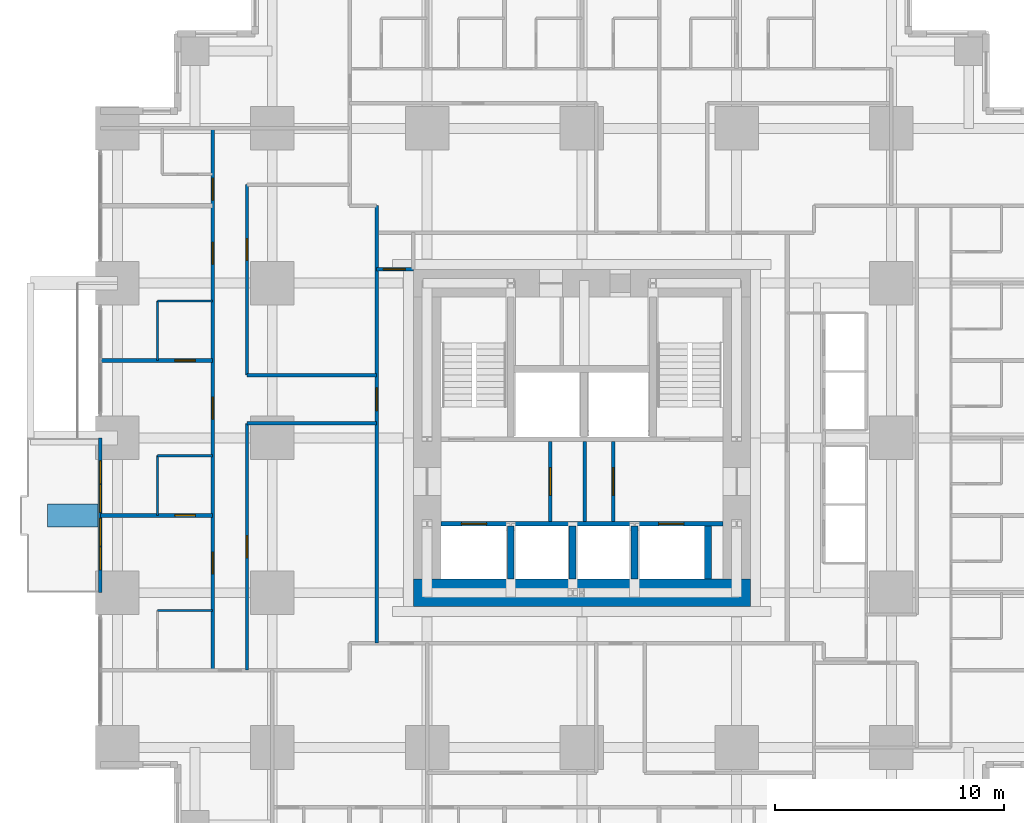
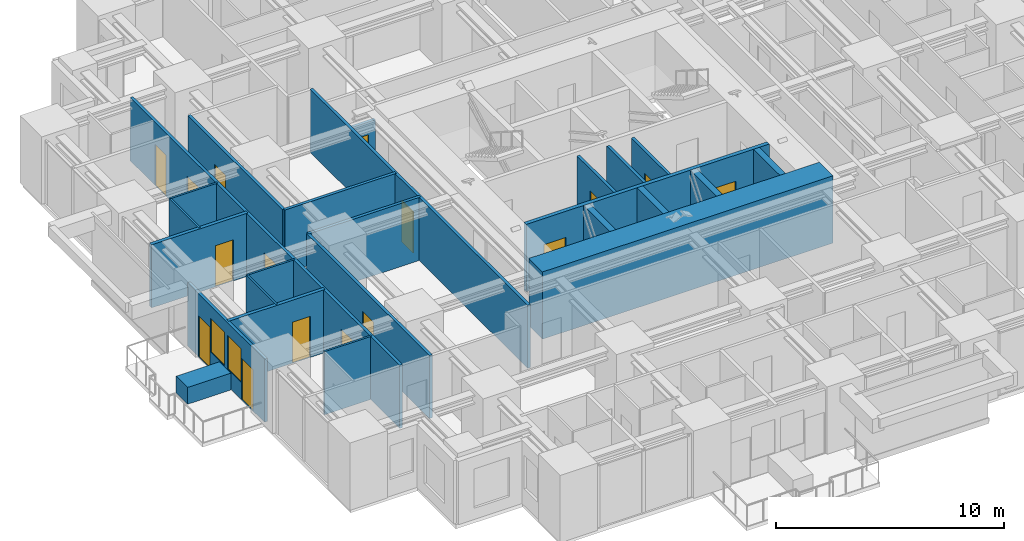
# One storey, part 9 of 15: 25 walls, 16 doors, 2 windows, 18 openings.
"""IFC4 building model written with IfcOpenShell, lengths in metres."""

from ifc_helpers import new_model, si_unit, direction, frame, frame_2d, origin, place, context, subcontext, project, spatial, rectangle, extrude, material, layer, layer_set, type_object, element, fill, save


model = new_model("IFC4")

# Units and contexts
model_context = context("Model", 3, precision=1e-05, world=origin(), true_north=direction((0.0, 1.0)))
body_context = subcontext(model_context, "Body", "Model", "MODEL_VIEW")
ifc_project = project(units=[si_unit("LENGTHUNIT", "METRE"), si_unit("AREAUNIT", "SQUARE_METRE"), si_unit("VOLUMEUNIT", "CUBIC_METRE"), si_unit("PLANEANGLEUNIT", "RADIAN"), si_unit("MASSUNIT", "GRAM", prefix="KILO")], contexts=[model_context])

# Site, building, storey
site_placement = place(None, origin())
site = spatial("IfcSite", under=ifc_project, at=site_placement, CompositionType="ELEMENT")
building_placement = place(site_placement, origin())
building = spatial("IfcBuilding", under=site, at=building_placement, Name="Nyansa Garden Tower", CompositionType="ELEMENT")
storey_placement = place(building_placement, frame((0.0, 0.0, 25.199951171875)))
storey = spatial("IfcBuildingStorey", under=building, at=storey_placement, Name="L06", CompositionType="ELEMENT", Elevation=25.199951171875)

# Wall, opening, door
ifc_material_1 = material(Name="Dense blockwork, plastered both sides, 55 dB", Category="masonry")
ifc_layer_1 = layer(ifc_material_1, 0.175048828125)
ifc_layer_set_1 = layer_set([ifc_layer_1], Name="Acoustic party wall PW175")
wall_type_1 = type_object("IfcWallType", Name="Acoustic party wall PW175", PredefinedType="PARTITIONING", material=ifc_layer_set_1)
wall_1_placement = place(storey_placement, frame((-0.73388671875, 16.875, 0.0), z_axis=(0.0, 0.0, 1.0), x_axis=(1.0, 0.0, 0.0)))
wall_1 = element("IfcWall", 1, at=wall_1_placement, inside=storey, type_object=wall_type_1, Name="Party wall", PredefinedType="PARTITIONING", context=body_context, shape_type="SweptSolid", body=[
    extrude(rectangle(XDim=4.8837890625, YDim=0.175048828125, at=frame_2d((2.44189453125, 0.0))), origin(), (0.0, 0.0, 1.0), 3.375),
])
opening_1_placement = place(wall_1_placement, frame((3.23388671875, 0.0, 0.0)))
opening_1 = element("IfcOpeningElement", 2, at=opening_1_placement, cuts=wall_1, Name="Opening D02", PredefinedType="OPENING", context=body_context, shape_type="SweptSolid", body=[
    extrude(rectangle(XDim=0.89990234375, YDim=2.199951171875, at=frame_2d((0.449951171875, 1.10009765625))), frame((0.0, 0.097412109375, 0.0), z_axis=(0.0, -1.0, 0.0), x_axis=(1.0, 0.0, 0.0)), (0.0, 0.0, 1.0), 0.195068359375),
])
ifc_material_2 = material(Name="Timber flush door", Category="wood")
door_type_1 = type_object("IfcDoorType", Name="En-suite door D02 900x2200", OperationType="SINGLE_SWING_RIGHT", PredefinedType="DOOR", material=ifc_material_2)
door_1_placement = place(opening_1_placement, origin())
door_1 = element("IfcDoor", 3, at=door_1_placement, inside=storey, type_object=door_type_1, Name="Door L06-070", OperationType="SINGLE_SWING_RIGHT", OverallHeight=2.199951171875, OverallWidth=0.89990234375, PredefinedType="DOOR", context=body_context, shape_type="SweptSolid", body=[
    extrude(rectangle(XDim=0.89990234375, YDim=2.199951171875, at=frame_2d((0.449951171875, 1.10009765625))), frame((0.0, 0.02490234375, 0.0), z_axis=(0.0, -1.0, 0.0), x_axis=(1.0, 0.0, 0.0)), (0.0, 0.0, 1.0), 0.050048828125),
])
fill(opening_1, door_1)

wall_2_placement = place(storey_placement, frame((-0.73388671875, 23.625, 0.0), z_axis=(0.0, 0.0, 1.0), x_axis=(1.0, 0.0, 0.0)))
wall_2 = element("IfcWall", 4, at=wall_2_placement, inside=storey, type_object=wall_type_1, Name="Party wall", PredefinedType="PARTITIONING", context=body_context, shape_type="SweptSolid", body=[
    extrude(rectangle(XDim=4.8837890625, YDim=0.175048828125, at=frame_2d((2.44189453125, 0.0))), origin(), (0.0, 0.0, 1.0), 3.375),
])
opening_2_placement = place(wall_2_placement, frame((3.23388671875, 0.0, 0.0)))
opening_2 = element("IfcOpeningElement", 5, at=opening_2_placement, cuts=wall_2, Name="Opening D02", PredefinedType="OPENING", context=body_context, shape_type="SweptSolid", body=[
    extrude(rectangle(XDim=0.89990234375, YDim=2.199951171875, at=frame_2d((0.449951171875, 1.10009765625))), frame((0.0, 0.097412109375, 0.0), z_axis=(0.0, -1.0, 0.0), x_axis=(1.0, 0.0, 0.0)), (0.0, 0.0, 1.0), 0.195068359375),
])
door_2_placement = place(opening_2_placement, origin())
door_2 = element("IfcDoor", 6, at=door_2_placement, inside=storey, type_object=door_type_1, Name="Door L06-072", OperationType="SINGLE_SWING_RIGHT", OverallHeight=2.199951171875, OverallWidth=0.89990234375, PredefinedType="DOOR", context=body_context, shape_type="SweptSolid", body=[
    extrude(rectangle(XDim=0.89990234375, YDim=2.199951171875, at=frame_2d((0.449951171875, 1.10009765625))), frame((0.0, 0.02490234375, 0.0), z_axis=(0.0, -1.0, 0.0), x_axis=(1.0, 0.0, 0.0)), (0.0, 0.0, 1.0), 0.050048828125),
])
fill(opening_2, door_2)

# Wall, openings, doors, windows
ifc_material_3 = material(Name="Black aluminium framed glazed screen", Category="aluminium")
ifc_layer_2 = layer(ifc_material_3, 0.14990234375)
ifc_layer_set_2 = layer_set([ifc_layer_2], Name="Balcony screen wall BW150")
wall_type_2 = type_object("IfcWallType", Name="Balcony screen wall BW150", PredefinedType="SOLIDWALL", material=ifc_layer_set_2)
wall_3_placement = place(storey_placement, frame((-0.75, 13.5, 0.0), z_axis=(0.0, 0.0, 1.0), x_axis=(0.0, 1.0, 0.0)))
wall_3 = element("IfcWall", 7, at=wall_3_placement, inside=storey, type_object=wall_type_2, Name="Glazed screen wall L06 W", PredefinedType="SOLIDWALL", context=body_context, shape_type="SweptSolid", body=[
    extrude(rectangle(XDim=6.75, YDim=0.14990234375, at=frame_2d((3.375, 0.0))), origin(), (0.0, 0.0, 1.0), 3.375),
])
opening_3_placement = place(wall_3_placement, frame((0.995849609375, 0.0, 0.0)))
opening_3 = element("IfcOpeningElement", 8, at=opening_3_placement, cuts=wall_3, Name="Opening D20", PredefinedType="OPENING", context=body_context, shape_type="SweptSolid", body=[
    extrude(rectangle(XDim=1.0, YDim=2.199951171875, at=frame_2d((0.5, 1.10009765625))), frame((0.0, 0.0849609375, 0.0), z_axis=(0.0, -1.0, 0.0), x_axis=(1.0, 0.0, 0.0)), (0.0, 0.0, 1.0), 0.169921875),
])
opening_4_placement = place(wall_3_placement, frame((2.041748046875, 0.0, 0.89990234375)))
opening_4 = element("IfcOpeningElement", 9, at=opening_4_placement, cuts=wall_3, Name="Opening W6", PredefinedType="OPENING", context=body_context, shape_type="SweptSolid", body=[
    extrude(rectangle(XDim=1.199951171875, YDim=1.800048828125, at=frame_2d((0.60009765625, 0.89990234375))), frame((0.0, 0.0849609375, 0.0), z_axis=(0.0, -1.0, 0.0), x_axis=(1.0, 0.0, 0.0)), (0.0, 0.0, 1.0), 0.169921875),
])
opening_5_placement = place(wall_3_placement, frame((4.754150390625, 0.0, 0.0)))
opening_5 = element("IfcOpeningElement", 10, at=opening_5_placement, cuts=wall_3, Name="Opening D20", PredefinedType="OPENING", context=body_context, shape_type="SweptSolid", body=[
    extrude(rectangle(XDim=1.0, YDim=2.199951171875, at=frame_2d((0.5, 1.10009765625))), frame((0.0, 0.0849609375, 0.0), z_axis=(0.0, -1.0, 0.0), x_axis=(1.0, 0.0, 0.0)), (0.0, 0.0, 1.0), 0.169921875),
])
opening_6_placement = place(wall_3_placement, frame((3.50830078125, 0.0, 0.89990234375)))
opening_6 = element("IfcOpeningElement", 11, at=opening_6_placement, cuts=wall_3, Name="Opening W6", PredefinedType="OPENING", context=body_context, shape_type="SweptSolid", body=[
    extrude(rectangle(XDim=1.199951171875, YDim=1.800048828125, at=frame_2d((0.60009765625, 0.89990234375))), frame((0.0, 0.0849609375, 0.0), z_axis=(0.0, -1.0, 0.0), x_axis=(1.0, 0.0, 0.0)), (0.0, 0.0, 1.0), 0.169921875),
])
ifc_material_4 = material(Name="Black aluminium framed glazed door", Category="aluminium")
door_type_2 = type_object("IfcDoorType", Name="Balcony door D20 1000x2200", OperationType="NOTDEFINED", PredefinedType="DOOR", material=ifc_material_4)
door_3_placement = place(opening_3_placement, origin())
door_3 = element("IfcDoor", 12, at=door_3_placement, inside=storey, type_object=door_type_2, Name="Balcony door L06", OperationType="SINGLE_SWING_LEFT", OverallHeight=2.199951171875, OverallWidth=1.0, PredefinedType="DOOR", context=body_context, shape_type="SweptSolid", body=[
    extrude(rectangle(XDim=1.0, YDim=2.199951171875, at=frame_2d((0.5, 1.10009765625))), frame((0.0, 0.02490234375, 0.0), z_axis=(0.0, -1.0, 0.0), x_axis=(1.0, 0.0, 0.0)), (0.0, 0.0, 1.0), 0.050048828125),
])
fill(opening_3, door_3)
door_4_placement = place(opening_5_placement, origin())
door_4 = element("IfcDoor", 13, at=door_4_placement, inside=storey, type_object=door_type_2, Name="Balcony door L06", OperationType="SINGLE_SWING_RIGHT", OverallHeight=2.199951171875, OverallWidth=1.0, PredefinedType="DOOR", context=body_context, shape_type="SweptSolid", body=[
    extrude(rectangle(XDim=1.0, YDim=2.199951171875, at=frame_2d((0.5, 1.10009765625))), frame((0.0, 0.02490234375, 0.0), z_axis=(0.0, -1.0, 0.0), x_axis=(1.0, 0.0, 0.0)), (0.0, 0.0, 1.0), 0.050048828125),
])
fill(opening_5, door_4)
ifc_material_5 = material(Name="Black aluminium frame, dark tinted double glazing", Category="aluminium")
window_type = type_object("IfcWindowType", Name="Balcony window W6 1200x1800", PartitioningType="SINGLE_PANEL", PredefinedType="WINDOW", material=ifc_material_5)
window_1_placement = place(opening_4_placement, origin())
window_1 = element("IfcWindow", 14, at=window_1_placement, inside=storey, type_object=window_type, Name="Window L06", OverallHeight=1.800048828125, OverallWidth=1.199951171875, PartitioningType="SINGLE_PANEL", PredefinedType="WINDOW", context=body_context, shape_type="SweptSolid", body=[
    extrude(rectangle(XDim=1.199951171875, YDim=1.800048828125, at=frame_2d((0.60009765625, 0.89990234375))), frame((0.0, 0.030029296875, 0.0), z_axis=(0.0, -1.0, 0.0), x_axis=(1.0, 0.0, 0.0)), (0.0, 0.0, 1.0), 0.06005859375),
])
fill(opening_4, window_1)
window_2_placement = place(opening_6_placement, origin())
window_2 = element("IfcWindow", 15, at=window_2_placement, inside=storey, type_object=window_type, Name="Window L06", OverallHeight=1.800048828125, OverallWidth=1.199951171875, PartitioningType="SINGLE_PANEL", PredefinedType="WINDOW", context=body_context, shape_type="SweptSolid", body=[
    extrude(rectangle(XDim=1.199951171875, YDim=1.800048828125, at=frame_2d((0.60009765625, 0.89990234375))), frame((0.0, 0.030029296875, 0.0), z_axis=(0.0, -1.0, 0.0), x_axis=(1.0, 0.0, 0.0)), (0.0, 0.0, 1.0), 0.06005859375),
])
fill(opening_6, window_2)

# Wall, openings, doors
ifc_material_6 = material(Name="Concrete C70/85", Category="concrete")
ifc_layer_3 = layer(ifc_material_6, 0.199951171875)
ifc_layer_set_3 = layer_set([ifc_layer_3], Name="Core inner wall CI200")
wall_type_3 = type_object("IfcWallType", Name="Core inner wall CI200", PredefinedType="SHEAR", material=ifc_layer_set_3)
wall_4_placement = place(storey_placement, frame((14.10009765625, 16.5, 0.0), z_axis=(0.0, 0.0, 1.0), x_axis=(1.0, 0.0, 0.0)))
wall_4 = element("IfcWall", 16, at=wall_4_placement, inside=storey, type_object=wall_type_3, Name="Core inner wall L06", PredefinedType="SHEAR", context=body_context, shape_type="SweptSolid", body=[
    extrude(rectangle(XDim=12.2998046875, YDim=0.199951171875, at=frame_2d((6.14990234375, 0.0))), origin(), (0.0, 0.0, 1.0), 3.60009765625),
])
opening_7_placement = place(wall_4_placement, frame((0.89990234375, 0.0, 0.0)))
opening_7 = element("IfcOpeningElement", 17, at=opening_7_placement, cuts=wall_4, Name="Opening LD-F", PredefinedType="OPENING", context=body_context, shape_type="SweptSolid", body=[
    extrude(rectangle(XDim=1.10009765625, YDim=2.199951171875, at=frame_2d((0.550048828125, 1.10009765625))), frame((0.0, 0.10986328125, 0.0), z_axis=(0.0, -1.0, 0.0), x_axis=(1.0, 0.0, 0.0)), (0.0, 0.0, 1.0), 0.219970703125),
])
opening_8_placement = place(wall_4_placement, frame((9.5, 0.0, 0.0)))
opening_8 = element("IfcOpeningElement", 18, at=opening_8_placement, cuts=wall_4, Name="Opening LD-F", PredefinedType="OPENING", context=body_context, shape_type="SweptSolid", body=[
    extrude(rectangle(XDim=1.10009765625, YDim=2.199951171875, at=frame_2d((0.550048828125, 1.10009765625))), frame((0.0, 0.10986328125, 0.0), z_axis=(0.0, -1.0, 0.0), x_axis=(1.0, 0.0, 0.0)), (0.0, 0.0, 1.0), 0.219970703125),
])
ifc_material_7 = material(Name="Stainless steel centre-opening landing door of the firefighting lift, EN 81-72, E 120", Category="steel")
door_type_3 = type_object("IfcDoorType", Name="Lift landing door LD-F 1100x2200", OperationType="DOUBLE_DOOR_SLIDING", PredefinedType="DOOR", material=ifc_material_7)
door_5_placement = place(opening_7_placement, origin())
door_5 = element("IfcDoor", 19, at=door_5_placement, inside=storey, type_object=door_type_3, Name="Landing door FF1", OperationType="DOUBLE_DOOR_SLIDING", OverallHeight=2.199951171875, OverallWidth=1.10009765625, PredefinedType="DOOR", context=body_context, shape_type="SweptSolid", body=[
    extrude(rectangle(XDim=1.10009765625, YDim=2.199951171875, at=frame_2d((0.550048828125, 1.10009765625))), frame((0.0, 0.02490234375, 0.0), z_axis=(0.0, -1.0, 0.0), x_axis=(1.0, 0.0, 0.0)), (0.0, 0.0, 1.0), 0.050048828125),
])
fill(opening_7, door_5)
door_6_placement = place(opening_8_placement, origin())
door_6 = element("IfcDoor", 20, at=door_6_placement, inside=storey, type_object=door_type_3, Name="Landing door FF2", OperationType="DOUBLE_DOOR_SLIDING", OverallHeight=2.199951171875, OverallWidth=1.10009765625, PredefinedType="DOOR", context=body_context, shape_type="SweptSolid", body=[
    extrude(rectangle(XDim=1.10009765625, YDim=2.199951171875, at=frame_2d((0.550048828125, 1.10009765625))), frame((0.0, 0.02490234375, 0.0), z_axis=(0.0, -1.0, 0.0), x_axis=(1.0, 0.0, 0.0)), (0.0, 0.0, 1.0), 0.050048828125),
])
fill(opening_8, door_6)

# Walls
ifc_material_8 = material(Name="Concrete C70/85", Category="concrete")
ifc_layer_4 = layer(ifc_material_8, 0.300048828125)
ifc_layer_set_4 = layer_set([ifc_layer_4], Name="Core inner wall CI300")
wall_type_4 = type_object("IfcWallType", Name="Core inner wall CI300", PredefinedType="SHEAR", material=ifc_layer_set_4)
for number, where, z_axis, x_axis, name in (
    (21, (17.14990234375, 14.10009765625, 0.0), (0.0, 0.0, 1.0), (0.0, 1.0, 0.0), "Core inner wall L06"),
    (22, (19.85009765625, 14.10009765625, 0.0), (0.0, 0.0, 1.0), (0.0, 1.0, 0.0), "Core inner wall L06"),
    (23, (22.550048828125, 14.10009765625, 0.0), (0.0, 0.0, 1.0), (0.0, 1.0, 0.0), "Core inner wall L06"),
    (24, (25.75, 14.10009765625, 0.0), (0.0, 0.0, 1.0), (0.0, 1.0, 0.0), "Core inner wall L06"),
):
    element("IfcWall", number, at=place(storey_placement, frame(where, z_axis=z_axis, x_axis=x_axis)), inside=storey, type_object=wall_type_4, Name=name, PredefinedType="SHEAR", context=body_context, shape_type="SweptSolid", body=[
        extrude(rectangle(XDim=2.2998046875, YDim=0.300048828125, at=frame_2d((1.14990234375, 0.0))), origin(), (0.0, 0.0, 1.0), 3.60009765625),
    ])
ifc_material_9 = material(Name="Concrete C80/95", Category="concrete")
ifc_layer_5 = layer(ifc_material_9, 1.199951171875)
ifc_layer_set_5 = layer_set([ifc_layer_5], Name="Core wall CW1200")
wall_type_5 = type_object("IfcWallType", Name="Core wall CW1200", PredefinedType="SHEAR", material=ifc_layer_set_5)
wall_5_placement = place(storey_placement, frame((12.89990234375, 13.5, 0.0), z_axis=(0.0, 0.0, 1.0), x_axis=(1.0, 0.0, 0.0)))
element("IfcWall", 25, at=wall_5_placement, inside=storey, type_object=wall_type_5, Name="Core wall S L06", PredefinedType="SHEAR", context=body_context, shape_type="SweptSolid", body=[
    extrude(rectangle(XDim=14.7001953125, YDim=1.199951171875, at=frame_2d((7.35009765625, 0.0))), origin(), (0.0, 0.0, 1.0), 3.60009765625),
])

# Wall, opening, door
ifc_material_10 = material(Name="Blockwork, plastered both sides", Category="masonry")
ifc_layer_6 = layer(ifc_material_10, 0.14990234375)
ifc_layer_set_6 = layer_set([ifc_layer_6], Name="Partition PW150")
wall_type_6 = type_object("IfcWallType", Name="Partition PW150", PredefinedType="PARTITIONING", material=ifc_layer_set_6)
wall_6_placement = place(storey_placement, frame((18.875, 16.60009765625, 0.0), z_axis=(0.0, 0.0, 1.0), x_axis=(0.0, 1.0, 0.0)))
wall_6 = element("IfcWall", 26, at=wall_6_placement, inside=storey, type_object=wall_type_6, Name="Partition", PredefinedType="PARTITIONING", context=body_context, shape_type="SweptSolid", body=[
    extrude(rectangle(XDim=3.5, YDim=0.14990234375, at=frame_2d((1.75, 0.0))), origin(), (0.0, 0.0, 1.0), 3.375),
])
opening_9_placement = place(wall_6_placement, frame((1.14990234375, 0.0, 0.0)))
opening_9 = element("IfcOpeningElement", 27, at=opening_9_placement, cuts=wall_6, Name="Opening D06", PredefinedType="OPENING", context=body_context, shape_type="SweptSolid", body=[
    extrude(rectangle(XDim=1.199951171875, YDim=2.199951171875, at=frame_2d((0.60009765625, 1.10009765625))), frame((0.0, 0.0849609375, 0.0), z_axis=(0.0, -1.0, 0.0), x_axis=(1.0, 0.0, 0.0)), (0.0, 0.0, 1.0), 0.169921875),
])
ifc_material_11 = material(Name="Steel door, 120 minute fire resisting", Category="steel")
door_type_4 = type_object("IfcDoorType", Name="Lobby door D06 1200x2200", OperationType="DOUBLE_DOOR_SINGLE_SWING", PredefinedType="DOOR", material=ifc_material_11)
door_7_placement = place(opening_9_placement, origin())
door_7 = element("IfcDoor", 28, at=door_7_placement, inside=storey, type_object=door_type_4, Name="Passenger lift lobby door", OperationType="DOUBLE_DOOR_SINGLE_SWING", OverallHeight=2.199951171875, OverallWidth=1.199951171875, PredefinedType="DOOR", context=body_context, shape_type="SweptSolid", body=[
    extrude(rectangle(XDim=1.199951171875, YDim=2.199951171875, at=frame_2d((0.60009765625, 1.10009765625))), frame((0.0, 0.02490234375, 0.0), z_axis=(0.0, -1.0, 0.0), x_axis=(1.0, 0.0, 0.0)), (0.0, 0.0, 1.0), 0.050048828125),
])
fill(opening_9, door_7)

wall_7_placement = place(storey_placement, frame((21.625, 16.60009765625, 0.0), z_axis=(0.0, 0.0, 1.0), x_axis=(0.0, 1.0, 0.0)))
wall_7 = element("IfcWall", 29, at=wall_7_placement, inside=storey, type_object=wall_type_6, Name="Partition", PredefinedType="PARTITIONING", context=body_context, shape_type="SweptSolid", body=[
    extrude(rectangle(XDim=3.5, YDim=0.14990234375, at=frame_2d((1.75, 0.0))), origin(), (0.0, 0.0, 1.0), 3.375),
])
opening_10_placement = place(wall_7_placement, frame((1.14990234375, 0.0, 0.0)))
opening_10 = element("IfcOpeningElement", 30, at=opening_10_placement, cuts=wall_7, Name="Opening D06", PredefinedType="OPENING", context=body_context, shape_type="SweptSolid", body=[
    extrude(rectangle(XDim=1.199951171875, YDim=2.199951171875, at=frame_2d((0.60009765625, 1.10009765625))), frame((0.0, 0.0849609375, 0.0), z_axis=(0.0, -1.0, 0.0), x_axis=(1.0, 0.0, 0.0)), (0.0, 0.0, 1.0), 0.169921875),
])
door_8_placement = place(opening_10_placement, origin())
door_8 = element("IfcDoor", 31, at=door_8_placement, inside=storey, type_object=door_type_4, Name="Passenger lift lobby door", OperationType="DOUBLE_DOOR_SINGLE_SWING", OverallHeight=2.199951171875, OverallWidth=1.199951171875, PredefinedType="DOOR", context=body_context, shape_type="SweptSolid", body=[
    extrude(rectangle(XDim=1.199951171875, YDim=2.199951171875, at=frame_2d((0.60009765625, 1.10009765625))), frame((0.0, 0.02490234375, 0.0), z_axis=(0.0, -1.0, 0.0), x_axis=(1.0, 0.0, 0.0)), (0.0, 0.0, 1.0), 0.050048828125),
])
fill(opening_10, door_8)

# Wall
wall_8_placement = place(storey_placement, frame((20.3798828125, 16.60009765625, 0.0), z_axis=(0.0, 0.0, 1.0), x_axis=(0.0, 1.0, 0.0)))
element("IfcWall", 32, at=wall_8_placement, inside=storey, type_object=wall_type_6, Name="Partition", PredefinedType="PARTITIONING", context=body_context, shape_type="SweptSolid", body=[
    extrude(rectangle(XDim=3.5, YDim=0.14990234375, at=frame_2d((1.75, 0.0))), origin(), (0.0, 0.0, 1.0), 3.375),
])

# Wall, openings, doors
wall_9_placement = place(storey_placement, frame((4.14990234375, 10.125, 0.0), z_axis=(0.0, 0.0, 1.0), x_axis=(0.0, 1.0, 0.0)))
wall_9 = element("IfcWall", 33, at=wall_9_placement, inside=storey, type_object=wall_type_6, Name="Partition", PredefinedType="PARTITIONING", context=body_context, shape_type="SweptSolid", body=[
    extrude(rectangle(XDim=23.625, YDim=0.14990234375, at=frame_2d((11.8125, 0.0))), origin(), (0.0, 0.0, 1.0), 3.375),
])
opening_11_placement = place(wall_9_placement, frame((4.199951171875, 0.0, 0.0)))
opening_11 = element("IfcOpeningElement", 34, at=opening_11_placement, cuts=wall_9, Name="Opening D14", PredefinedType="OPENING", context=body_context, shape_type="SweptSolid", body=[
    extrude(rectangle(XDim=0.949951171875, YDim=2.199951171875, at=frame_2d((0.47509765625, 1.10009765625))), frame((0.0, 0.0849609375, 0.0), z_axis=(0.0, -1.0, 0.0), x_axis=(1.0, 0.0, 0.0)), (0.0, 0.0, 1.0), 0.169921875),
])
opening_12_placement = place(wall_9_placement, frame((10.949951171875, 0.0, 0.0)))
opening_12 = element("IfcOpeningElement", 35, at=opening_12_placement, cuts=wall_9, Name="Opening D14", PredefinedType="OPENING", context=body_context, shape_type="SweptSolid", body=[
    extrude(rectangle(XDim=0.949951171875, YDim=2.199951171875, at=frame_2d((0.47509765625, 1.10009765625))), frame((0.0, 0.0849609375, 0.0), z_axis=(0.0, -1.0, 0.0), x_axis=(1.0, 0.0, 0.0)), (0.0, 0.0, 1.0), 0.169921875),
])
opening_13_placement = place(wall_9_placement, frame((17.699951171875, 0.0, 0.0)))
opening_13 = element("IfcOpeningElement", 36, at=opening_13_placement, cuts=wall_9, Name="Opening D14", PredefinedType="OPENING", context=body_context, shape_type="SweptSolid", body=[
    extrude(rectangle(XDim=0.949951171875, YDim=2.199951171875, at=frame_2d((0.47509765625, 1.10009765625))), frame((0.0, 0.0849609375, 0.0), z_axis=(0.0, -1.0, 0.0), x_axis=(1.0, 0.0, 0.0)), (0.0, 0.0, 1.0), 0.169921875),
])
opening_14_placement = place(wall_9_placement, frame((20.5, 0.0, 0.0)))
opening_14 = element("IfcOpeningElement", 37, at=opening_14_placement, cuts=wall_9, Name="Opening D14", PredefinedType="OPENING", context=body_context, shape_type="SweptSolid", body=[
    extrude(rectangle(XDim=0.949951171875, YDim=2.199951171875, at=frame_2d((0.47509765625, 1.10009765625))), frame((0.0, 0.0849609375, 0.0), z_axis=(0.0, -1.0, 0.0), x_axis=(1.0, 0.0, 0.0)), (0.0, 0.0, 1.0), 0.169921875),
])
ifc_material_12 = material(Name="Timber flush door, 60 minute fire resisting, self-closing", Category="wood")
door_type_5 = type_object("IfcDoorType", Name="Studio entrance door D14 950x2200", OperationType="SINGLE_SWING_LEFT", PredefinedType="DOOR", material=ifc_material_12)
door_9_placement = place(opening_11_placement, origin())
door_9 = element("IfcDoor", 38, at=door_9_placement, inside=storey, type_object=door_type_5, Name="Door L06-067", OperationType="SINGLE_SWING_LEFT", OverallHeight=2.199951171875, OverallWidth=0.949951171875, PredefinedType="DOOR", context=body_context, shape_type="SweptSolid", body=[
    extrude(rectangle(XDim=0.949951171875, YDim=2.199951171875, at=frame_2d((0.47509765625, 1.10009765625))), frame((0.0, 0.02490234375, 0.0), z_axis=(0.0, -1.0, 0.0), x_axis=(1.0, 0.0, 0.0)), (0.0, 0.0, 1.0), 0.050048828125),
])
fill(opening_11, door_9)
door_10_placement = place(opening_12_placement, origin())
door_10 = element("IfcDoor", 39, at=door_10_placement, inside=storey, type_object=door_type_5, Name="Door L06-069", OperationType="SINGLE_SWING_LEFT", OverallHeight=2.199951171875, OverallWidth=0.949951171875, PredefinedType="DOOR", context=body_context, shape_type="SweptSolid", body=[
    extrude(rectangle(XDim=0.949951171875, YDim=2.199951171875, at=frame_2d((0.47509765625, 1.10009765625))), frame((0.0, 0.02490234375, 0.0), z_axis=(0.0, -1.0, 0.0), x_axis=(1.0, 0.0, 0.0)), (0.0, 0.0, 1.0), 0.050048828125),
])
fill(opening_12, door_10)
door_11_placement = place(opening_13_placement, origin())
door_11 = element("IfcDoor", 40, at=door_11_placement, inside=storey, type_object=door_type_5, Name="Door L06-071", OperationType="SINGLE_SWING_LEFT", OverallHeight=2.199951171875, OverallWidth=0.949951171875, PredefinedType="DOOR", context=body_context, shape_type="SweptSolid", body=[
    extrude(rectangle(XDim=0.949951171875, YDim=2.199951171875, at=frame_2d((0.47509765625, 1.10009765625))), frame((0.0, 0.02490234375, 0.0), z_axis=(0.0, -1.0, 0.0), x_axis=(1.0, 0.0, 0.0)), (0.0, 0.0, 1.0), 0.050048828125),
])
fill(opening_13, door_11)
door_12_placement = place(opening_14_placement, origin())
door_12 = element("IfcDoor", 41, at=door_12_placement, inside=storey, type_object=door_type_5, Name="Door L06-073", OperationType="SINGLE_SWING_LEFT", OverallHeight=2.199951171875, OverallWidth=0.949951171875, PredefinedType="DOOR", context=body_context, shape_type="SweptSolid", body=[
    extrude(rectangle(XDim=0.949951171875, YDim=2.199951171875, at=frame_2d((0.47509765625, 1.10009765625))), frame((0.0, 0.02490234375, 0.0), z_axis=(0.0, -1.0, 0.0), x_axis=(1.0, 0.0, 0.0)), (0.0, 0.0, 1.0), 0.050048828125),
])
fill(opening_14, door_12)

# Wall, opening, door
wall_10_placement = place(storey_placement, frame((5.64990234375, 10.125, 0.0), z_axis=(0.0, 0.0, 1.0), x_axis=(0.0, 1.0, 0.0)))
wall_10 = element("IfcWall", 42, at=wall_10_placement, inside=storey, type_object=wall_type_6, Name="Partition", PredefinedType="PARTITIONING", context=body_context, shape_type="SweptSolid", body=[
    extrude(rectangle(XDim=10.762451171875, YDim=0.14990234375, at=frame_2d((5.38134765625, 0.0))), origin(), (0.0, 0.0, 1.0), 3.375),
])
opening_15_placement = place(wall_10_placement, frame((4.89990234375, 0.0, 0.0)))
opening_15 = element("IfcOpeningElement", 43, at=opening_15_placement, cuts=wall_10, Name="Opening D01", PredefinedType="OPENING", context=body_context, shape_type="SweptSolid", body=[
    extrude(rectangle(XDim=0.949951171875, YDim=2.199951171875, at=frame_2d((0.47509765625, 1.10009765625))), frame((0.0, 0.0849609375, 0.0), z_axis=(0.0, -1.0, 0.0), x_axis=(1.0, 0.0, 0.0)), (0.0, 0.0, 1.0), 0.169921875),
])
ifc_material_13 = material(Name="Timber flush door, 30 minute fire resisting", Category="wood")
door_type_6 = type_object("IfcDoorType", Name="Bedroom door D01 950x2200", OperationType="SINGLE_SWING_LEFT", PredefinedType="DOOR", material=ifc_material_13)
door_13_placement = place(opening_15_placement, origin())
door_13 = element("IfcDoor", 44, at=door_13_placement, inside=storey, type_object=door_type_6, Name="Door L06-076", OperationType="SINGLE_SWING_LEFT", OverallHeight=2.199951171875, OverallWidth=0.949951171875, PredefinedType="DOOR", context=body_context, shape_type="SweptSolid", body=[
    extrude(rectangle(XDim=0.949951171875, YDim=2.199951171875, at=frame_2d((0.47509765625, 1.10009765625))), frame((0.0, 0.02490234375, 0.0), z_axis=(0.0, -1.0, 0.0), x_axis=(1.0, 0.0, 0.0)), (0.0, 0.0, 1.0), 0.050048828125),
])
fill(opening_15, door_13)

# Wall
wall_11_placement = place(storey_placement, frame((5.64990234375, 20.886962890625, 0.0), z_axis=(0.0, 0.0, 1.0), x_axis=(1.0, 0.0, 0.0)))
element("IfcWall", 45, at=wall_11_placement, inside=storey, type_object=wall_type_6, Name="Partition", PredefinedType="PARTITIONING", context=body_context, shape_type="SweptSolid", body=[
    extrude(rectangle(XDim=5.650146484375, YDim=0.14990234375, at=frame_2d((2.8251953125, 0.0))), origin(), (0.0, 0.0, 1.0), 3.375),
])

# Wall, opening, door
wall_12_placement = place(storey_placement, frame((5.64990234375, 22.987548828125, 0.0), z_axis=(0.0, 0.0, 1.0), x_axis=(0.0, 1.0, 0.0)))
wall_12 = element("IfcWall", 46, at=wall_12_placement, inside=storey, type_object=wall_type_6, Name="Partition", PredefinedType="PARTITIONING", context=body_context, shape_type="SweptSolid", body=[
    extrude(rectangle(XDim=8.3125, YDim=0.14990234375, at=frame_2d((4.15625, 0.0))), origin(), (0.0, 0.0, 1.0), 3.375),
])
opening_16_placement = place(wall_12_placement, frame((5.0, 0.0, 0.0)))
opening_16 = element("IfcOpeningElement", 47, at=opening_16_placement, cuts=wall_12, Name="Opening D01", PredefinedType="OPENING", context=body_context, shape_type="SweptSolid", body=[
    extrude(rectangle(XDim=0.949951171875, YDim=2.199951171875, at=frame_2d((0.47509765625, 1.10009765625))), frame((0.0, 0.0849609375, 0.0), z_axis=(0.0, -1.0, 0.0), x_axis=(1.0, 0.0, 0.0)), (0.0, 0.0, 1.0), 0.169921875),
])
door_14_placement = place(opening_16_placement, origin())
door_14 = element("IfcDoor", 48, at=door_14_placement, inside=storey, type_object=door_type_6, Name="Door L06-077", OperationType="SINGLE_SWING_LEFT", OverallHeight=2.199951171875, OverallWidth=0.949951171875, PredefinedType="DOOR", context=body_context, shape_type="SweptSolid", body=[
    extrude(rectangle(XDim=0.949951171875, YDim=2.199951171875, at=frame_2d((0.47509765625, 1.10009765625))), frame((0.0, 0.02490234375, 0.0), z_axis=(0.0, -1.0, 0.0), x_axis=(1.0, 0.0, 0.0)), (0.0, 0.0, 1.0), 0.050048828125),
])
fill(opening_16, door_14)

# Wall
wall_13_placement = place(storey_placement, frame((5.64990234375, 22.988037109375, 0.0), z_axis=(0.0, 0.0, 1.0), x_axis=(1.0, 0.0, 0.0)))
element("IfcWall", 49, at=wall_13_placement, inside=storey, type_object=wall_type_6, Name="Partition", PredefinedType="PARTITIONING", context=body_context, shape_type="SweptSolid", body=[
    extrude(rectangle(XDim=5.650146484375, YDim=0.14990234375, at=frame_2d((2.8251953125, 0.0))), origin(), (0.0, 0.0, 1.0), 3.375),
])

# Wall, opening, door
wall_14_placement = place(storey_placement, frame((11.300048828125, 11.300048828125, 0.0), z_axis=(0.0, 0.0, 1.0), x_axis=(0.0, 1.0, 0.0)))
wall_14 = element("IfcWall", 50, at=wall_14_placement, inside=storey, type_object=wall_type_6, Name="Partition", PredefinedType="PARTITIONING", context=body_context, shape_type="SweptSolid", body=[
    extrude(rectangle(XDim=19.074951171875, YDim=0.14990234375, at=frame_2d((9.53759765625, 0.0))), origin(), (0.0, 0.0, 1.0), 3.375),
])
opening_17_placement = place(wall_14_placement, frame((10.137451171875, 0.0, 0.0)))
opening_17 = element("IfcOpeningElement", 51, at=opening_17_placement, cuts=wall_14, Name="Opening D03", PredefinedType="OPENING", context=body_context, shape_type="SweptSolid", body=[
    extrude(rectangle(XDim=1.0, YDim=2.199951171875, at=frame_2d((0.5, 1.10009765625))), frame((0.0, 0.0849609375, 0.0), z_axis=(0.0, -1.0, 0.0), x_axis=(1.0, 0.0, 0.0)), (0.0, 0.0, 1.0), 0.169921875),
])
ifc_material_14 = material(Name="Timber flush door, 60 minute fire resisting", Category="wood")
door_type_7 = type_object("IfcDoorType", Name="Cluster entrance door D03 1000x2200", OperationType="SINGLE_SWING_LEFT", PredefinedType="DOOR", material=ifc_material_14)
door_15_placement = place(opening_17_placement, origin())
door_15 = element("IfcDoor", 52, at=door_15_placement, inside=storey, type_object=door_type_7, Name="Door L06-075", OperationType="SINGLE_SWING_LEFT", OverallHeight=2.199951171875, OverallWidth=1.0, PredefinedType="DOOR", context=body_context, shape_type="SweptSolid", body=[
    extrude(rectangle(XDim=1.0, YDim=2.199951171875, at=frame_2d((0.5, 1.10009765625))), frame((0.0, 0.02490234375, 0.0), z_axis=(0.0, -1.0, 0.0), x_axis=(1.0, 0.0, 0.0)), (0.0, 0.0, 1.0), 0.050048828125),
])
fill(opening_17, door_15)

wall_15_placement = place(storey_placement, frame((11.300048828125, 27.60009765625, 0.0), z_axis=(0.0, 0.0, 1.0), x_axis=(1.0, 0.0, 0.0)))
wall_15 = element("IfcWall", 53, at=wall_15_placement, inside=storey, type_object=wall_type_6, Name="Partition", PredefinedType="PARTITIONING", context=body_context, shape_type="SweptSolid", body=[
    extrude(rectangle(XDim=1.599853515625, YDim=0.14990234375, at=frame_2d((0.7998046875, 0.0))), origin(), (0.0, 0.0, 1.0), 2.876953125),
])
opening_18_placement = place(wall_15_placement, frame((0.300048828125, 0.0, 0.0)))
opening_18 = element("IfcOpeningElement", 54, at=opening_18_placement, cuts=wall_15, Name="Opening D01", PredefinedType="OPENING", context=body_context, shape_type="SweptSolid", body=[
    extrude(rectangle(XDim=0.949951171875, YDim=2.199951171875, at=frame_2d((0.47509765625, 1.10009765625))), frame((0.0, 0.0849609375, 0.0), z_axis=(0.0, -1.0, 0.0), x_axis=(1.0, 0.0, 0.0)), (0.0, 0.0, 1.0), 0.169921875),
])
door_16_placement = place(opening_18_placement, origin())
door_16 = element("IfcDoor", 55, at=door_16_placement, inside=storey, type_object=door_type_6, Name="Door L06-017", OperationType="SINGLE_SWING_LEFT", OverallHeight=2.199951171875, OverallWidth=0.949951171875, PredefinedType="DOOR", context=body_context, shape_type="SweptSolid", body=[
    extrude(rectangle(XDim=0.949951171875, YDim=2.199951171875, at=frame_2d((0.47509765625, 1.10009765625))), frame((0.0, 0.02490234375, 0.0), z_axis=(0.0, -1.0, 0.0), x_axis=(1.0, 0.0, 0.0)), (0.0, 0.0, 1.0), 0.050048828125),
])
fill(opening_18, door_16)

# Walls
ifc_material_15 = material(Name="Concrete C40/50 planter, waterproofed", Category="concrete")
ifc_layer_7 = layer(ifc_material_15, 1.0)
ifc_layer_set_7 = layer_set([ifc_layer_7], Name="Tree planter TP1")
wall_type_7 = type_object("IfcWallType", Name="Tree planter TP1", PredefinedType="USERDEFINED", material=ifc_layer_set_7)
wall_16_placement = place(storey_placement, frame((-0.85009765625, 16.875, 0.0), z_axis=(0.0, 0.0, 1.0), x_axis=(-1.0, 0.0, 0.0)))
element("IfcWall", 56, at=wall_16_placement, inside=storey, type_object=wall_type_7, Name="Tree planter L06", ObjectType="TREE PLANTER", PredefinedType="USERDEFINED", context=body_context, shape_type="SweptSolid", body=[
    extrude(rectangle(XDim=2.199951171875, YDim=1.0, at=frame_2d((1.10009765625, 0.0))), origin(), (0.0, 0.0, 1.0), 0.900146484375),
])
ifc_material_16 = material(Name="Moisture resistant board on steel studs, tiled", Category="steel")
ifc_layer_8 = layer(ifc_material_16, 0.10009765625)
ifc_layer_set_8 = layer_set([ifc_layer_8], Name="Wet wall PW100")
wall_type_8 = type_object("IfcWallType", Name="Wet wall PW100", PredefinedType="PARTITIONING", material=ifc_layer_set_8)
wall_17_placement = place(storey_placement, frame((1.75, 12.72509765625, 0.0), z_axis=(0.0, 0.0, 1.0), x_axis=(1.0, 0.0, 0.0)))
element("IfcWall", 57, at=wall_17_placement, inside=storey, type_object=wall_type_8, Name="Wet wall", PredefinedType="PARTITIONING", context=body_context, shape_type="SweptSolid", body=[
    extrude(rectangle(XDim=2.39990234375, YDim=0.10009765625, at=frame_2d((1.199951171875, 0.0))), origin(), (0.0, 0.0, 1.0), 3.375),
])
wall_18_placement = place(storey_placement, frame((1.75, 16.875, 0.0), z_axis=(0.0, 0.0, 1.0), x_axis=(0.0, 1.0, 0.0)))
element("IfcWall", 58, at=wall_18_placement, inside=storey, type_object=wall_type_8, Name="Wet wall", PredefinedType="PARTITIONING", context=body_context, shape_type="SweptSolid", body=[
    extrude(rectangle(XDim=2.60009765625, YDim=0.10009765625, at=frame_2d((1.300048828125, 0.0))), origin(), (0.0, 0.0, 1.0), 3.375),
])
wall_19_placement = place(storey_placement, frame((1.75, 19.47509765625, 0.0), z_axis=(0.0, 0.0, 1.0), x_axis=(1.0, 0.0, 0.0)))
element("IfcWall", 59, at=wall_19_placement, inside=storey, type_object=wall_type_8, Name="Wet wall", PredefinedType="PARTITIONING", context=body_context, shape_type="SweptSolid", body=[
    extrude(rectangle(XDim=2.39990234375, YDim=0.10009765625, at=frame_2d((1.199951171875, 0.0))), origin(), (0.0, 0.0, 1.0), 3.375),
])
wall_20_placement = place(storey_placement, frame((1.75, 23.625, 0.0), z_axis=(0.0, 0.0, 1.0), x_axis=(0.0, 1.0, 0.0)))
element("IfcWall", 60, at=wall_20_placement, inside=storey, type_object=wall_type_8, Name="Wet wall", PredefinedType="PARTITIONING", context=body_context, shape_type="SweptSolid", body=[
    extrude(rectangle(XDim=2.60009765625, YDim=0.10009765625, at=frame_2d((1.300048828125, 0.0))), origin(), (0.0, 0.0, 1.0), 3.375),
])
wall_21_placement = place(storey_placement, frame((1.75, 26.22509765625, 0.0), z_axis=(0.0, 0.0, 1.0), x_axis=(1.0, 0.0, 0.0)))
element("IfcWall", 61, at=wall_21_placement, inside=storey, type_object=wall_type_8, Name="Wet wall", PredefinedType="PARTITIONING", context=body_context, shape_type="SweptSolid", body=[
    extrude(rectangle(XDim=2.39990234375, YDim=0.10009765625, at=frame_2d((1.199951171875, 0.0))), origin(), (0.0, 0.0, 1.0), 3.375),
])

save(model, "model.ifc")
